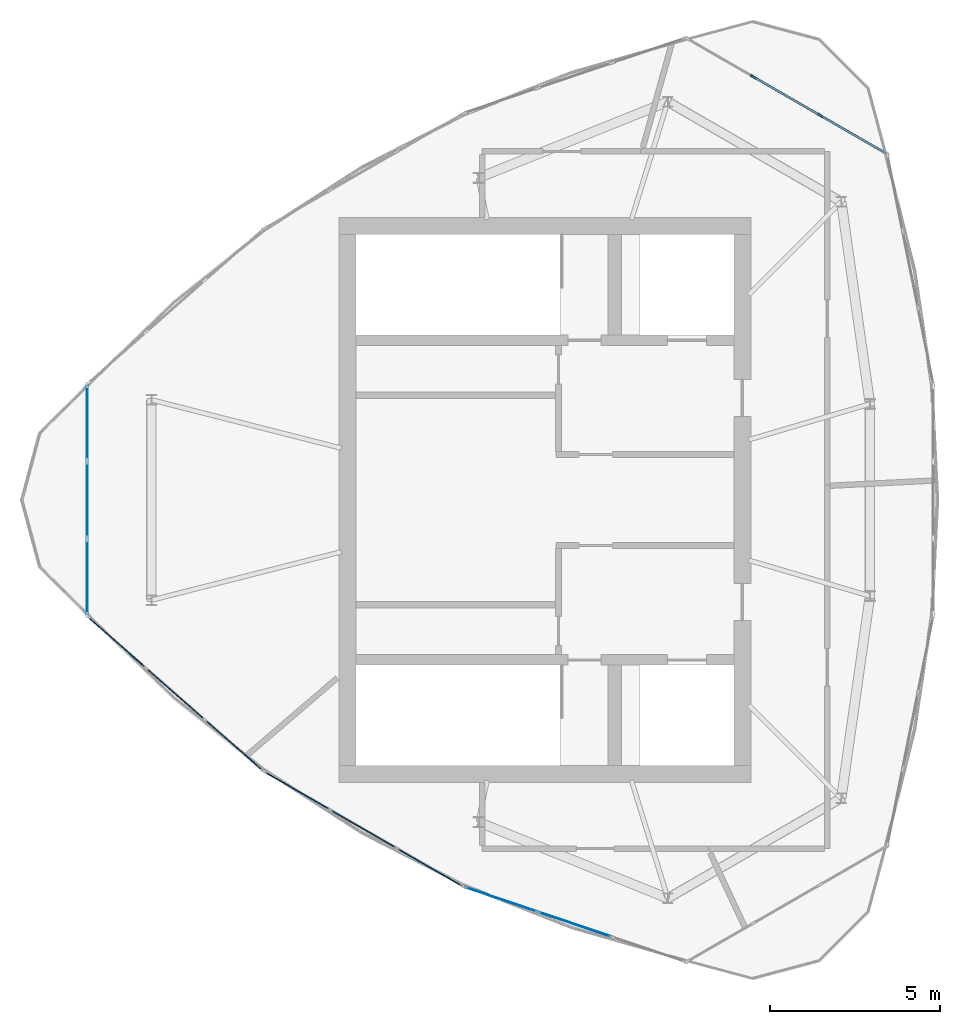
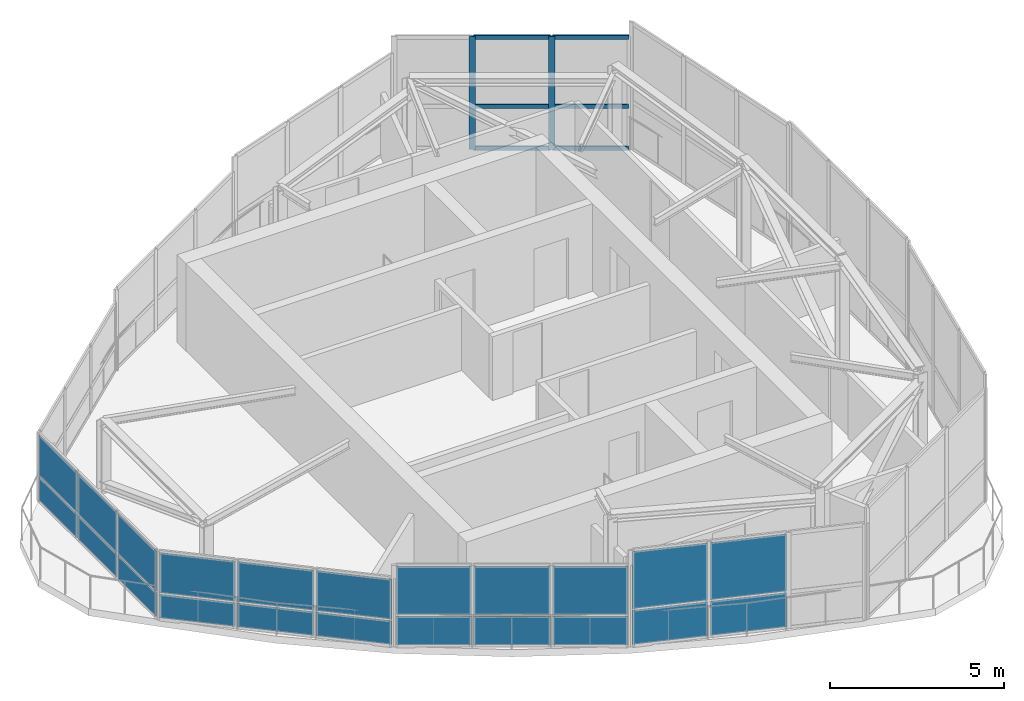
# One storey, part 5 of 9: 22 plates, 8 members, 5 elements without a shape of their own.
"""IFC4 building model written with IfcOpenShell, lengths in metres."""

import ifcopenshell
import ifcopenshell.guid

model = None  # the IFC model being written
_history = None  # IfcOwnerHistory: only IFC2X3 demands one
_inside = {}  # id of a spatial element -> (the spatial element, [elements in it])
_under = {}  # id of a project, library or spatial element -> (it, [spatial elements below it])
_declared = {}  # id of a project -> (the project, [libraries it declares])
_typed = {}  # id of a type object -> (the type object, [elements of that type])
_made_of = {}  # id of a material, layer set ... -> (it, [elements and type objects made of it])


def new_model(schema):
    """Start an empty IFC model of exactly this schema.

    Asked for "IFC4X3", IfcOpenShell would pick the latest addendum, in which some entities
    have other attributes; the version numbers below select the first issue.
    IFC2X3 requires an IfcOwnerHistory on every rooted entity: one is made here for all.
    """
    global model, _history
    if schema == "IFC4X3":
        model = ifcopenshell.file(schema_version=(4, 3, 0, 0))
    else:
        model = ifcopenshell.file(schema=schema)
    _inside.clear()
    _under.clear()
    _declared.clear()
    _typed.clear()
    _made_of.clear()
    _history = None
    if model.schema == "IFC2X3":
        org = make("IfcOrganization", Name="unknown")
        user = make(
            "IfcPersonAndOrganization",
            ThePerson=make("IfcPerson", FamilyName="unknown"),
            TheOrganization=org,
        )
        app = make(
            "IfcApplication",
            ApplicationDeveloper=org,
            Version="unknown",
            ApplicationFullName="unknown",
            ApplicationIdentifier="unknown",
        )
        _history = make(
            "IfcOwnerHistory",
            OwningUser=user,
            OwningApplication=app,
            ChangeAction="ADDED",
            CreationDate=0,
        )
    return model


def make(cls, **values):
    """One entity of the class cls with the attributes given. An attribute that is None is left unset."""
    return model.create_entity(
        cls, **{name: value for name, value in values.items() if value is not None}
    )


def rooted(cls, **values):
    """An entity with a GlobalId (a new one), such as an element, a storey or a relation."""
    return make(cls, GlobalId=ifcopenshell.guid.new(), OwnerHistory=_history, **values)


def si_unit(unit_type, name, prefix=None):
    """IfcSIUnit, for example si_unit("LENGTHUNIT", "METRE", prefix="MILLI")."""
    return make("IfcSIUnit", UnitType=unit_type, Prefix=prefix, Name=name)


def assignment(units):
    """IfcUnitAssignment: the units of a project."""
    return None if units is None else make("IfcUnitAssignment", Units=units)


def point(xyz):
    """IfcCartesianPoint."""
    return None if xyz is None else make("IfcCartesianPoint", Coordinates=xyz)


def direction(xyz):
    """IfcDirection."""
    return None if xyz is None else make("IfcDirection", DirectionRatios=xyz)


def frame(location, z_axis=None, x_axis=None):
    """IfcAxis2Placement3D, a coordinate frame: its origin and axes. An axis left out is left unset."""
    return make(
        "IfcAxis2Placement3D",
        Location=point(location),
        Axis=direction(z_axis),
        RefDirection=direction(x_axis),
    )


def frame_2d(location, x_axis=None):
    """IfcAxis2Placement2D, a coordinate frame in the plane: its origin and x axis."""
    return make(
        "IfcAxis2Placement2D", Location=point(location), RefDirection=direction(x_axis)
    )


def origin():
    """The frame at (0, 0, 0) with its axes left unset."""
    return frame((0.0, 0.0, 0.0))


def origin_2d():
    """The frame at (0, 0) in the plane with its x axis left unset."""
    return frame_2d((0.0, 0.0))


def place(relative_to, where):
    """IfcLocalPlacement: puts the frame where relative to a parent placement (None: the world)."""
    return make(
        "IfcLocalPlacement", PlacementRelTo=relative_to, RelativePlacement=where
    )


def context(
    kind, dimensions, precision=None, world=None, true_north=None, identifier=None
):
    """IfcGeometricRepresentationContext, for example the 3D "Model" context."""
    return make(
        "IfcGeometricRepresentationContext",
        ContextIdentifier=identifier,
        ContextType=kind,
        CoordinateSpaceDimension=dimensions,
        Precision=precision,
        WorldCoordinateSystem=world,
        TrueNorth=true_north,
    )


def subcontext(parent, identifier, kind, view, scale=None):
    """IfcGeometricRepresentationSubContext, for example "Body" below "Model"."""
    return make(
        "IfcGeometricRepresentationSubContext",
        ContextIdentifier=identifier,
        ContextType=kind,
        ParentContext=parent,
        TargetScale=scale,
        TargetView=view,
    )


def project(units=None, contexts=None):
    """IfcProject with its units and contexts."""
    return rooted(
        "IfcProject",
        Name="project",
        RepresentationContexts=contexts,
        UnitsInContext=assignment(units),
    )


def spatial(cls, under=None, at=None, **own):
    """A site, building, storey or space (cls), placed at a placement, below another one or the project."""
    s = rooted(cls, ObjectPlacement=at, **own)
    if under is not None:
        _under.setdefault(under.id(), (under, []))[1].append(s)
    return s


def profile(cls, at=None, kind="AREA", **sizes):
    """A parametric profile (cls). Its sizes go by their IFC names, for example OverallWidth=200.0."""
    return make(cls, ProfileType=kind, Position=at, **sizes)


def rectangle(**sizes):
    """IfcRectangleProfileDef."""
    return profile("IfcRectangleProfileDef", **sizes)


def extrude(swept, where, along, depth):
    """IfcExtrudedAreaSolid: the profile swept, set in the frame where, extruded along a direction by depth."""
    return make(
        "IfcExtrudedAreaSolid",
        SweptArea=swept,
        Position=where,
        ExtrudedDirection=direction(along),
        Depth=depth,
    )


def shape(context_of_items, identifier, shape_type, items):
    """IfcShapeRepresentation: the items that make up one representation, for example the "Body"."""
    return make(
        "IfcShapeRepresentation",
        ContextOfItems=context_of_items,
        RepresentationIdentifier=identifier,
        RepresentationType=shape_type,
        Items=items,
    )


def source(mapping_origin, context_of_items, identifier, shape_type, items):
    """IfcRepresentationMap: a shape defined once, which mapped items show again and again."""
    return make(
        "IfcRepresentationMap",
        MappingOrigin=mapping_origin,
        MappedRepresentation=shape(context_of_items, identifier, shape_type, items),
    )


def transform(
    local_origin,
    x_axis=None,
    y_axis=None,
    z_axis=None,
    scale=None,
    scale2=None,
    scale3=None,
    uniform=True,
):
    """IfcCartesianTransformationOperator3D, or its non-uniform kind. x_axis, y_axis, z_axis: its Axis1, 2, 3."""
    if uniform:
        return make(
            "IfcCartesianTransformationOperator3D",
            Axis1=direction(x_axis),
            Axis2=direction(y_axis),
            LocalOrigin=point(local_origin),
            Scale=scale,
            Axis3=direction(z_axis),
        )
    return make(
        "IfcCartesianTransformationOperator3DnonUniform",
        Axis1=direction(x_axis),
        Axis2=direction(y_axis),
        LocalOrigin=point(local_origin),
        Scale=scale,
        Axis3=direction(z_axis),
        Scale2=scale2,
        Scale3=scale3,
    )


def mapped(mapping_source, mapping_target):
    """IfcMappedItem: shows the shape of a source again, moved by a transform."""
    return make(
        "IfcMappedItem", MappingSource=mapping_source, MappingTarget=mapping_target
    )


def material(Name=None, Category=None):
    """IfcMaterial."""
    return make("IfcMaterial", Name=Name, Category=Category)


def layer(
    of_material, thickness, ventilated=None, Name=None, Category=None, Priority=None
):
    """IfcMaterialLayer: one layer of a wall or slab, of a material (None: an air gap)."""
    return make(
        "IfcMaterialLayer",
        Material=of_material,
        LayerThickness=thickness,
        IsVentilated=ventilated,
        Name=Name,
        Category=Category,
        Priority=Priority,
    )


def layer_set(layers, Name=None):
    """IfcMaterialLayerSet."""
    return make("IfcMaterialLayerSet", MaterialLayers=layers, LayerSetName=Name)


def material_profile(
    of_material, cross_section, Name=None, Category=None, Priority=None
):
    """IfcMaterialProfile: a cross section and its material."""
    return make(
        "IfcMaterialProfile",
        Name=Name,
        Material=of_material,
        Profile=cross_section,
        Priority=Priority,
        Category=Category,
    )


def profile_set(profiles, Name=None, composite=None):
    """IfcMaterialProfileSet."""
    return make(
        "IfcMaterialProfileSet",
        Name=Name,
        MaterialProfiles=profiles,
        CompositeProfile=composite,
    )


def made_of(thing, what):
    """Note that an element or type object is made of a material, layer set ...; save() writes the relation."""
    if what is not None:
        _made_of.setdefault(what.id(), (what, []))[1].append(thing)
    return thing


def type_object(cls, material=None, **own):
    """A type object (cls), such as IfcWallType, which elements share."""
    return made_of(rooted(cls, **own), material)


def element(
    cls,
    number,
    at=None,
    inside=None,
    cuts=None,
    type_object=None,
    material=None,
    context=None,
    identifier="Body",
    shape_type=None,
    held_by="IfcProductDefinitionShape",
    body=None,
    shapes=None,
    **own,
):
    """One element of the class cls, such as IfcWall. Its Tag is "e" and its number.

    at: its placement. inside: the storey or other place that contains it. cuts: it is an
    opening in that element (IfcRelVoidsElement). A single representation is given by context,
    identifier, shape_type and body (its items); several are given by shapes. held_by: the class
    of the entity that holds the representations. save() writes the other relations.
    """
    e = rooted(cls, Tag="e%d" % number, ObjectPlacement=at, **own)
    if body is not None:
        shapes = [shape(context, identifier, shape_type, body)]
    if shapes is not None:
        e.Representation = make(held_by, Representations=shapes)
    if inside is not None:
        _inside.setdefault(inside.id(), (inside, []))[1].append(e)
    if cuts is not None:
        rooted(
            "IfcRelVoidsElement", RelatingBuildingElement=cuts, RelatedOpeningElement=e
        )
    if type_object is not None:
        _typed.setdefault(type_object.id(), (type_object, []))[1].append(e)
    return made_of(e, material)


def aggregate(whole, parts):
    """IfcRelAggregates: a whole, such as a stair, and the parts it consists of."""
    return rooted("IfcRelAggregates", RelatingObject=whole, RelatedObjects=parts)


def save(model, path):
    """Write the relations noted so far, then the file.

    IfcRelAggregates (storeys below a building ...), IfcRelContainedInSpatialStructure (elements
    in a storey), IfcRelDefinesByType, IfcRelAssociatesMaterial and IfcRelDeclares: one each for
    every whole, place, type object, material and project.
    """
    for whole, parts in _under.values():
        aggregate(whole, parts)
    for where, things in _inside.values():
        rooted(
            "IfcRelContainedInSpatialStructure",
            RelatedElements=things,
            RelatingStructure=where,
        )
    for kind, things in _typed.values():
        rooted("IfcRelDefinesByType", RelatedObjects=things, RelatingType=kind)
    for what, things in _made_of.values():
        rooted("IfcRelAssociatesMaterial", RelatedObjects=things, RelatingMaterial=what)
    for by, libraries in _declared.values():
        rooted("IfcRelDeclares", RelatingContext=by, RelatedDefinitions=libraries)
    model.write(path)


model = new_model("IFC4")

# Units and contexts
model_context = context("Model", 3, precision=1e-05, world=origin(), true_north=direction((0.0, 1.0)))
body_context = subcontext(model_context, "Body", "Model", "MODEL_VIEW")
ifc_project = project(units=[si_unit("LENGTHUNIT", "METRE"), si_unit("AREAUNIT", "SQUARE_METRE"), si_unit("VOLUMEUNIT", "CUBIC_METRE"), si_unit("PLANEANGLEUNIT", "RADIAN"), si_unit("MASSUNIT", "GRAM", prefix="KILO")], contexts=[model_context])

# Site, building, storey
site_placement = place(None, origin())
site = spatial("IfcSite", under=ifc_project, at=site_placement, CompositionType="ELEMENT")
building_placement = place(site_placement, origin())
building = spatial("IfcBuilding", under=site, at=building_placement, Name="Qafzar Sky-Pleat Residences", CompositionType="ELEMENT")
storey_placement = place(building_placement, frame((0.0, 0.0, 274.699951171875)))
storey = spatial("IfcBuildingStorey", under=building, at=storey_placement, Name="L81 Crown", CompositionType="ELEMENT", Elevation=274.699951171875)

# Curtain wall, members
ifc_material_1 = material(Name="Anodised bronze aluminium framing", Category="aluminium")
ifc_layer_1 = layer(ifc_material_1, 0.179931640625)
ifc_layer_set_1 = layer_set([ifc_layer_1], Name="Anodised bronze aluminium framing")
curtain_wall_type = type_object("IfcCurtainWallType", Name="CW-SYS-06", PredefinedType="NOTDEFINED", material=ifc_layer_set_1)
curtain_wall_1_placement = place(storey_placement, origin())
curtain_wall_1 = element("IfcCurtainWall", 1, at=curtain_wall_1_placement, inside=storey, type_object=curtain_wall_type, Name="L81 Crown CW-06 Curtain Wall CW-CROWN-06-09", PredefinedType="NOTDEFINED")
ifc_material_2 = material(Name="Anodised bronze aluminium", Category="aluminium")
ifc_material_profile_1 = material_profile(ifc_material_2, rectangle(XDim=0.06005859375, YDim=0.135009765625, at=origin_2d()), Name="ALU TRANSOM 60x135")
ifc_profile_set_1 = profile_set([ifc_material_profile_1], Name="Anodised bronze aluminium")
member_type_1 = type_object("IfcMemberType", Name="CWT-06", PredefinedType="USERDEFINED", material=ifc_profile_set_1)
shared_shape_1 = source(origin(), body_context, "Body", "SweptSolid", [
    extrude(rectangle(XDim=0.06005859375, YDim=0.135009765625, at=origin_2d()), origin(), (0.0, 0.0, 1.0), 2.21728515625),
])
member_1_placement = place(storey_placement, frame((38.417236328125, 37.32275390625, 0.030029296875), z_axis=(-0.866018722283, 0.500011572522, 0.0), x_axis=(-0.500011572522, -0.866018722283, 0.0)))
member_1 = element("IfcMember", 2, at=member_1_placement, type_object=member_type_1, Name="CW-06 transom 2.1", ObjectType="TRANSOM", PredefinedType="USERDEFINED", context=body_context, shape_type="MappedRepresentation", body=[
    mapped(shared_shape_1, transform((0.0, 0.0, 0.0), x_axis=(1.0, 0.0, 0.0), y_axis=(0.0, 1.0, 0.0), z_axis=(0.0, 0.0, 1.0), scale=1.0)),
])
member_2_placement = place(storey_placement, frame((38.417236328125, 37.32275390625, 1.498779296875), z_axis=(-0.866018722283, 0.500011572522, 0.0), x_axis=(-0.500011572522, -0.866018722283, 0.0)))
member_2 = element("IfcMember", 3, at=member_2_placement, type_object=member_type_1, Name="CW-06 transom 2.2", ObjectType="TRANSOM", PredefinedType="USERDEFINED", context=body_context, shape_type="MappedRepresentation", body=[
    mapped(shared_shape_1, transform((0.0, 0.0, 0.0), x_axis=(1.0, 0.0, 0.0), y_axis=(0.0, 1.0, 0.0), z_axis=(0.0, 0.0, 1.0), scale=1.0)),
])
member_3_placement = place(storey_placement, frame((38.417236328125, 37.32275390625, 3.9140625), z_axis=(-0.866018722283, 0.500011572522, 0.0), x_axis=(-0.500011572522, -0.866018722283, 0.0)))
member_3 = element("IfcMember", 4, at=member_3_placement, type_object=member_type_1, Name="CW-06 transom 2.3", ObjectType="TRANSOM", PredefinedType="USERDEFINED", context=body_context, shape_type="MappedRepresentation", body=[
    mapped(shared_shape_1, transform((0.0, 0.0, 0.0), x_axis=(1.0, 0.0, 0.0), y_axis=(0.0, 1.0, 0.0), z_axis=(0.0, 0.0, 1.0), scale=1.0)),
])
ifc_material_profile_2 = material_profile(ifc_material_2, rectangle(XDim=0.06005859375, YDim=0.179931640625, at=origin_2d()), Name="ALU MULLION 60x180")
ifc_profile_set_2 = profile_set([ifc_material_profile_2], Name="Anodised bronze aluminium")
member_type_2 = type_object("IfcMemberType", Name="CWM-06", PredefinedType="MULLION", material=ifc_profile_set_2)
shared_shape_2 = source(origin(), body_context, "Body", "SweptSolid", [
    extrude(rectangle(XDim=0.06005859375, YDim=0.179931640625, at=origin_2d()), origin(), (0.0, 0.0, 1.0), 3.944091796875),
])
member_4_placement = place(storey_placement, frame((38.443115234375, 37.307861328125, 0.0), z_axis=(0.0, 0.0, 1.0), x_axis=(-0.499999539703, -0.866025669537, 0.0)))
member_4 = element("IfcMember", 5, at=member_4_placement, type_object=member_type_2, Name="CW-06 mullion 2", PredefinedType="MULLION", context=body_context, shape_type="MappedRepresentation", body=[
    mapped(shared_shape_2, transform((0.0, 0.0, 0.0), x_axis=(1.0, 0.0, 0.0), y_axis=(0.0, 1.0, 0.0), z_axis=(0.0, 0.0, 1.0), scale=1.0)),
])
member_5_placement = place(storey_placement, frame((36.47119140625, 38.4462890625, 0.0), z_axis=(0.0, 0.0, 1.0), x_axis=(-0.499999539703, -0.866025669537, 0.0)))
member_5 = element("IfcMember", 6, at=member_5_placement, type_object=member_type_2, Name="CW-06 mullion 3", PredefinedType="MULLION", context=body_context, shape_type="MappedRepresentation", body=[
    mapped(shared_shape_2, transform((0.0, 0.0, 0.0), x_axis=(1.0, 0.0, 0.0), y_axis=(0.0, 1.0, 0.0), z_axis=(0.0, 0.0, 1.0), scale=1.0)),
])
shared_shape_3 = source(origin(), body_context, "Body", "SweptSolid", [
    extrude(rectangle(XDim=0.06005859375, YDim=0.135009765625, at=origin_2d()), origin(), (0.0, 0.0, 1.0), 2.18701171875),
])
member_6_placement = place(storey_placement, frame((40.36328125, 36.19921875, 0.030029296875), z_axis=(-0.866029434536, 0.499993018469, 0.0), x_axis=(-0.499993018469, -0.866029434536, 0.0)))
member_6 = element("IfcMember", 7, at=member_6_placement, type_object=member_type_1, Name="CW-06 transom 1.1", ObjectType="TRANSOM", PredefinedType="USERDEFINED", context=body_context, shape_type="MappedRepresentation", body=[
    mapped(shared_shape_3, transform((0.0, 0.0, 0.0), x_axis=(1.0, 0.0, 0.0), y_axis=(0.0, 1.0, 0.0), z_axis=(0.0, 0.0, 1.0), scale=1.0)),
])
member_7_placement = place(storey_placement, frame((40.36328125, 36.19921875, 1.498779296875), z_axis=(-0.866029434536, 0.499993018469, 0.0), x_axis=(-0.499993018469, -0.866029434536, 0.0)))
member_7 = element("IfcMember", 8, at=member_7_placement, type_object=member_type_1, Name="CW-06 transom 1.2", ObjectType="TRANSOM", PredefinedType="USERDEFINED", context=body_context, shape_type="MappedRepresentation", body=[
    mapped(shared_shape_3, transform((0.0, 0.0, 0.0), x_axis=(1.0, 0.0, 0.0), y_axis=(0.0, 1.0, 0.0), z_axis=(0.0, 0.0, 1.0), scale=1.0)),
])
member_8_placement = place(storey_placement, frame((40.36328125, 36.19921875, 3.9140625), z_axis=(-0.866029434536, 0.499993018469, 0.0), x_axis=(-0.499993018469, -0.866029434536, 0.0)))
member_8 = element("IfcMember", 9, at=member_8_placement, type_object=member_type_1, Name="CW-06 transom 1.3", ObjectType="TRANSOM", PredefinedType="USERDEFINED", context=body_context, shape_type="MappedRepresentation", body=[
    mapped(shared_shape_3, transform((0.0, 0.0, 0.0), x_axis=(1.0, 0.0, 0.0), y_axis=(0.0, 1.0, 0.0), z_axis=(0.0, 0.0, 1.0), scale=1.0)),
])
aggregate(curtain_wall_1, [member_4, member_5, member_6, member_7, member_8, member_1, member_2, member_3])

# Curtain wall, plates
curtain_wall_2_placement = place(storey_placement, origin())
curtain_wall_2 = element("IfcCurtainWall", 10, at=curtain_wall_2_placement, inside=storey, type_object=curtain_wall_type, Name="L81 Crown CW-06 Curtain Wall CW-CROWN-06-01", PredefinedType="NOTDEFINED")
ifc_material_3 = material(Name="Solar-control double low-E glazing", Category="glass")
ifc_layer_2 = layer(ifc_material_3, 0.02587890625)
ifc_layer_set_2 = layer_set([ifc_layer_2], Name="Solar-control double low-E glazing")
plate_type = type_object("IfcPlateType", Name="CWP-06", PredefinedType="CURTAIN_PANEL", material=ifc_layer_set_2)
shared_shape_4 = source(origin(), body_context, "Body", "SweptSolid", [
    extrude(rectangle(XDim=2.18701171875, YDim=0.02587890625, at=origin_2d()), origin(), (0.0, 0.0, 1.0), 0.822998046875),
])
plate_1_placement = place(storey_placement, frame((16.885498046875, 28.261962890625, 0.06005859375), z_axis=(0.0, 0.0, 1.0), x_axis=(0.0, -1.0, 0.0)))
plate_1 = element("IfcPlate", 11, at=plate_1_placement, type_object=plate_type, Name="CW-06 panel 1.1", PredefinedType="CURTAIN_PANEL", context=body_context, shape_type="MappedRepresentation", body=[
    mapped(shared_shape_4, transform((0.0, 0.0, 0.0), x_axis=(1.0, 0.0, 0.0), y_axis=(0.0, 1.0, 0.0), z_axis=(0.0, 0.0, 1.0), scale=1.0)),
])
plate_2_placement = place(storey_placement, frame((16.885498046875, 23.738037109375, 0.06005859375), z_axis=(0.0, 0.0, 1.0), x_axis=(0.0, -1.0, 0.0)))
plate_2 = element("IfcPlate", 12, at=plate_2_placement, type_object=plate_type, Name="CW-06 panel 3.1", PredefinedType="CURTAIN_PANEL", context=body_context, shape_type="MappedRepresentation", body=[
    mapped(shared_shape_4, transform((0.0, 0.0, 0.0), x_axis=(1.0, 0.0, 0.0), y_axis=(0.0, 1.0, 0.0), z_axis=(0.0, 0.0, 1.0), scale=1.0)),
])
shared_shape_5 = source(origin(), body_context, "Body", "SweptSolid", [
    extrude(rectangle(XDim=2.18701171875, YDim=0.02587890625, at=origin_2d()), origin(), (0.0, 0.0, 1.0), 1.39990234375),
])
plate_3_placement = place(storey_placement, frame((16.885498046875, 28.261962890625, 0.943115234375), z_axis=(0.0, 0.0, 1.0), x_axis=(0.0, -1.0, 0.0)))
plate_3 = element("IfcPlate", 13, at=plate_3_placement, type_object=plate_type, Name="CW-06 panel 1.2", PredefinedType="CURTAIN_PANEL", context=body_context, shape_type="MappedRepresentation", body=[
    mapped(shared_shape_5, transform((0.0, 0.0, 0.0), x_axis=(1.0, 0.0, 0.0), y_axis=(0.0, 1.0, 0.0), z_axis=(0.0, 0.0, 1.0), scale=1.0)),
])
plate_4_placement = place(storey_placement, frame((16.885498046875, 23.738037109375, 0.943115234375), z_axis=(0.0, 0.0, 1.0), x_axis=(0.0, -1.0, 0.0)))
plate_4 = element("IfcPlate", 14, at=plate_4_placement, type_object=plate_type, Name="CW-06 panel 3.2", PredefinedType="CURTAIN_PANEL", context=body_context, shape_type="MappedRepresentation", body=[
    mapped(shared_shape_5, transform((0.0, 0.0, 0.0), x_axis=(1.0, 0.0, 0.0), y_axis=(0.0, 1.0, 0.0), z_axis=(0.0, 0.0, 1.0), scale=1.0)),
])
shared_shape_6 = source(origin(), body_context, "Body", "SweptSolid", [
    extrude(rectangle(XDim=2.217041015625, YDim=0.02587890625, at=origin_2d()), origin(), (0.0, 0.0, 1.0), 0.822998046875),
])
plate_5_placement = place(storey_placement, frame((16.885498046875, 26.0, 0.06005859375), z_axis=(0.0, 0.0, 1.0), x_axis=(0.0, -1.0, 0.0)))
plate_5 = element("IfcPlate", 15, at=plate_5_placement, type_object=plate_type, Name="CW-06 panel 2.1", PredefinedType="CURTAIN_PANEL", context=body_context, shape_type="MappedRepresentation", body=[
    mapped(shared_shape_6, transform((0.0, 0.0, 0.0), x_axis=(1.0, 0.0, 0.0), y_axis=(0.0, 1.0, 0.0), z_axis=(0.0, 0.0, 1.0), scale=1.0)),
])
shared_shape_7 = source(origin(), body_context, "Body", "SweptSolid", [
    extrude(rectangle(XDim=2.217041015625, YDim=0.02587890625, at=origin_2d()), origin(), (0.0, 0.0, 1.0), 1.39990234375),
])
plate_6_placement = place(storey_placement, frame((16.885498046875, 26.0, 0.943115234375), z_axis=(0.0, 0.0, 1.0), x_axis=(0.0, -1.0, 0.0)))
plate_6 = element("IfcPlate", 16, at=plate_6_placement, type_object=plate_type, Name="CW-06 panel 2.2", PredefinedType="CURTAIN_PANEL", context=body_context, shape_type="MappedRepresentation", body=[
    mapped(shared_shape_7, transform((0.0, 0.0, 0.0), x_axis=(1.0, 0.0, 0.0), y_axis=(0.0, 1.0, 0.0), z_axis=(0.0, 0.0, 1.0), scale=1.0)),
])
aggregate(curtain_wall_2, [plate_1, plate_3, plate_5, plate_6, plate_2, plate_4])

curtain_wall_3_placement = place(storey_placement, origin())
curtain_wall_3 = element("IfcCurtainWall", 17, at=curtain_wall_3_placement, inside=storey, type_object=curtain_wall_type, Name="L81 Crown CW-06 Curtain Wall CW-CROWN-06-02", PredefinedType="NOTDEFINED")
shared_shape_8 = source(origin(), body_context, "Body", "SweptSolid", [
    extrude(rectangle(XDim=2.214599609375, YDim=0.02587890625, at=origin_2d()), origin(), (0.0, 0.0, 1.0), 0.822998046875),
])
plate_7_placement = place(storey_placement, frame((17.762451171875, 21.813720703125, 0.06005859375), z_axis=(0.0, 0.0, 1.0), x_axis=(0.7511449033, -0.660137360136, 0.0)))
plate_7 = element("IfcPlate", 18, at=plate_7_placement, type_object=plate_type, Name="CW-06 panel 1.1", PredefinedType="CURTAIN_PANEL", context=body_context, shape_type="MappedRepresentation", body=[
    mapped(shared_shape_8, transform((0.0, 0.0, 0.0), x_axis=(1.0, 0.0, 0.0), y_axis=(0.0, 1.0, 0.0), z_axis=(0.0, 0.0, 1.0), scale=1.0)),
])
plate_8_placement = place(storey_placement, frame((21.201904296875, 18.791015625, 0.06005859375), z_axis=(0.0, 0.0, 1.0), x_axis=(0.7511449033, -0.660137360136, 0.0)))
plate_8 = element("IfcPlate", 19, at=plate_8_placement, type_object=plate_type, Name="CW-06 panel 3.1", PredefinedType="CURTAIN_PANEL", context=body_context, shape_type="MappedRepresentation", body=[
    mapped(shared_shape_8, transform((0.0, 0.0, 0.0), x_axis=(1.0, 0.0, 0.0), y_axis=(0.0, 1.0, 0.0), z_axis=(0.0, 0.0, 1.0), scale=1.0)),
])
shared_shape_9 = source(origin(), body_context, "Body", "SweptSolid", [
    extrude(rectangle(XDim=2.214599609375, YDim=0.02587890625, at=origin_2d()), origin(), (0.0, 0.0, 1.0), 1.39990234375),
])
plate_9_placement = place(storey_placement, frame((17.762451171875, 21.813720703125, 0.943115234375), z_axis=(0.0, 0.0, 1.0), x_axis=(0.7511449033, -0.660137360136, 0.0)))
plate_9 = element("IfcPlate", 20, at=plate_9_placement, type_object=plate_type, Name="CW-06 panel 1.2", PredefinedType="CURTAIN_PANEL", context=body_context, shape_type="MappedRepresentation", body=[
    mapped(shared_shape_9, transform((0.0, 0.0, 0.0), x_axis=(1.0, 0.0, 0.0), y_axis=(0.0, 1.0, 0.0), z_axis=(0.0, 0.0, 1.0), scale=1.0)),
])
plate_10_placement = place(storey_placement, frame((21.201904296875, 18.791015625, 0.943115234375), z_axis=(0.0, 0.0, 1.0), x_axis=(0.7511449033, -0.660137360136, 0.0)))
plate_10 = element("IfcPlate", 21, at=plate_10_placement, type_object=plate_type, Name="CW-06 panel 3.2", PredefinedType="CURTAIN_PANEL", context=body_context, shape_type="MappedRepresentation", body=[
    mapped(shared_shape_9, transform((0.0, 0.0, 0.0), x_axis=(1.0, 0.0, 0.0), y_axis=(0.0, 1.0, 0.0), z_axis=(0.0, 0.0, 1.0), scale=1.0)),
])
shared_shape_10 = source(origin(), body_context, "Body", "SweptSolid", [
    extrude(rectangle(XDim=2.24462890625, YDim=0.02587890625, at=origin_2d()), origin(), (0.0, 0.0, 1.0), 0.822998046875),
])
plate_11_placement = place(storey_placement, frame((19.482177734375, 20.302490234375, 0.06005859375), z_axis=(0.0, 0.0, 1.0), x_axis=(0.7511449033, -0.660137360136, 0.0)))
plate_11 = element("IfcPlate", 22, at=plate_11_placement, type_object=plate_type, Name="CW-06 panel 2.1", PredefinedType="CURTAIN_PANEL", context=body_context, shape_type="MappedRepresentation", body=[
    mapped(shared_shape_10, transform((0.0, 0.0, 0.0), x_axis=(1.0, 0.0, 0.0), y_axis=(0.0, 1.0, 0.0), z_axis=(0.0, 0.0, 1.0), scale=1.0)),
])
shared_shape_11 = source(origin(), body_context, "Body", "SweptSolid", [
    extrude(rectangle(XDim=2.24462890625, YDim=0.02587890625, at=origin_2d()), origin(), (0.0, 0.0, 1.0), 1.39990234375),
])
plate_12_placement = place(storey_placement, frame((19.482177734375, 20.302490234375, 0.943115234375), z_axis=(0.0, 0.0, 1.0), x_axis=(0.7511449033, -0.660137360136, 0.0)))
plate_12 = element("IfcPlate", 23, at=plate_12_placement, type_object=plate_type, Name="CW-06 panel 2.2", PredefinedType="CURTAIN_PANEL", context=body_context, shape_type="MappedRepresentation", body=[
    mapped(shared_shape_11, transform((0.0, 0.0, 0.0), x_axis=(1.0, 0.0, 0.0), y_axis=(0.0, 1.0, 0.0), z_axis=(0.0, 0.0, 1.0), scale=1.0)),
])
aggregate(curtain_wall_3, [plate_7, plate_9, plate_11, plate_12, plate_8, plate_10])

curtain_wall_4_placement = place(storey_placement, origin())
curtain_wall_4 = element("IfcCurtainWall", 24, at=curtain_wall_4_placement, inside=storey, type_object=curtain_wall_type, Name="L81 Crown CW-06 Curtain Wall CW-CROWN-06-03", PredefinedType="NOTDEFINED")
shared_shape_12 = source(origin(), body_context, "Body", "SweptSolid", [
    extrude(rectangle(XDim=2.169921875, YDim=0.02587890625, at=origin_2d()), origin(), (0.0, 0.0, 1.0), 0.995849609375),
])
plate_13_placement = place(storey_placement, frame((23.0703125, 17.447998046875, 0.06005859375), z_axis=(0.0, 0.0, 1.0), x_axis=(0.866027888398, -0.499995696498, 0.0)))
plate_13 = element("IfcPlate", 25, at=plate_13_placement, type_object=plate_type, Name="CW-06 panel 1.1", PredefinedType="CURTAIN_PANEL", context=body_context, shape_type="MappedRepresentation", body=[
    mapped(shared_shape_12, transform((0.0, 0.0, 0.0), x_axis=(1.0, 0.0, 0.0), y_axis=(0.0, 1.0, 0.0), z_axis=(0.0, 0.0, 1.0), scale=1.0)),
])
plate_14_placement = place(storey_placement, frame((26.95849609375, 15.203125, 0.06005859375), z_axis=(0.0, 0.0, 1.0), x_axis=(0.866027888398, -0.499995696498, 0.0)))
plate_14 = element("IfcPlate", 26, at=plate_14_placement, type_object=plate_type, Name="CW-06 panel 3.1", PredefinedType="CURTAIN_PANEL", context=body_context, shape_type="MappedRepresentation", body=[
    mapped(shared_shape_12, transform((0.0, 0.0, 0.0), x_axis=(1.0, 0.0, 0.0), y_axis=(0.0, 1.0, 0.0), z_axis=(0.0, 0.0, 1.0), scale=1.0)),
])
shared_shape_13 = source(origin(), body_context, "Body", "SweptSolid", [
    extrude(rectangle(XDim=2.169921875, YDim=0.02587890625, at=origin_2d()), origin(), (0.0, 0.0, 1.0), 1.681396484375),
])
plate_15_placement = place(storey_placement, frame((23.0703125, 17.447998046875, 1.11572265625), z_axis=(0.0, 0.0, 1.0), x_axis=(0.866027888398, -0.499995696498, 0.0)))
plate_15 = element("IfcPlate", 27, at=plate_15_placement, type_object=plate_type, Name="CW-06 panel 1.2", PredefinedType="CURTAIN_PANEL", context=body_context, shape_type="MappedRepresentation", body=[
    mapped(shared_shape_13, transform((0.0, 0.0, 0.0), x_axis=(1.0, 0.0, 0.0), y_axis=(0.0, 1.0, 0.0), z_axis=(0.0, 0.0, 1.0), scale=1.0)),
])
plate_16_placement = place(storey_placement, frame((26.95849609375, 15.203125, 1.11572265625), z_axis=(0.0, 0.0, 1.0), x_axis=(0.866027888398, -0.499995696498, 0.0)))
plate_16 = element("IfcPlate", 28, at=plate_16_placement, type_object=plate_type, Name="CW-06 panel 3.2", PredefinedType="CURTAIN_PANEL", context=body_context, shape_type="MappedRepresentation", body=[
    mapped(shared_shape_13, transform((0.0, 0.0, 0.0), x_axis=(1.0, 0.0, 0.0), y_axis=(0.0, 1.0, 0.0), z_axis=(0.0, 0.0, 1.0), scale=1.0)),
])
shared_shape_14 = source(origin(), body_context, "Body", "SweptSolid", [
    extrude(rectangle(XDim=2.19970703125, YDim=0.02587890625, at=origin_2d()), origin(), (0.0, 0.0, 1.0), 0.995849609375),
])
plate_17_placement = place(storey_placement, frame((25.014404296875, 16.325439453125, 0.06005859375), z_axis=(0.0, 0.0, 1.0), x_axis=(0.866027888398, -0.499995696498, 0.0)))
plate_17 = element("IfcPlate", 29, at=plate_17_placement, type_object=plate_type, Name="CW-06 panel 2.1", PredefinedType="CURTAIN_PANEL", context=body_context, shape_type="MappedRepresentation", body=[
    mapped(shared_shape_14, transform((0.0, 0.0, 0.0), x_axis=(1.0, 0.0, 0.0), y_axis=(0.0, 1.0, 0.0), z_axis=(0.0, 0.0, 1.0), scale=1.0)),
])
shared_shape_15 = source(origin(), body_context, "Body", "SweptSolid", [
    extrude(rectangle(XDim=2.19970703125, YDim=0.02587890625, at=origin_2d()), origin(), (0.0, 0.0, 1.0), 1.681396484375),
])
plate_18_placement = place(storey_placement, frame((25.014404296875, 16.325439453125, 1.11572265625), z_axis=(0.0, 0.0, 1.0), x_axis=(0.866027888398, -0.499995696498, 0.0)))
plate_18 = element("IfcPlate", 30, at=plate_18_placement, type_object=plate_type, Name="CW-06 panel 2.2", PredefinedType="CURTAIN_PANEL", context=body_context, shape_type="MappedRepresentation", body=[
    mapped(shared_shape_15, transform((0.0, 0.0, 0.0), x_axis=(1.0, 0.0, 0.0), y_axis=(0.0, 1.0, 0.0), z_axis=(0.0, 0.0, 1.0), scale=1.0)),
])
aggregate(curtain_wall_4, [plate_13, plate_15, plate_17, plate_18, plate_14, plate_16])

curtain_wall_5_placement = place(storey_placement, origin())
curtain_wall_5 = element("IfcCurtainWall", 31, at=curtain_wall_5_placement, inside=storey, type_object=curtain_wall_type, Name="L81 Crown CW-06 Curtain Wall CW-CROWN-06-04", PredefinedType="NOTDEFINED")
shared_shape_16 = source(origin(), body_context, "Body", "SweptSolid", [
    extrude(rectangle(XDim=2.214599609375, YDim=0.02587890625, at=origin_2d()), origin(), (0.0, 0.0, 1.0), 1.19091796875),
])
plate_19_placement = place(storey_placement, frame((29.0556640625, 14.256591796875, 0.06005859375), z_axis=(0.0, 0.0, 1.0), x_axis=(0.947262179954, -0.320459611229, 0.0)))
plate_19 = element("IfcPlate", 32, at=plate_19_placement, type_object=plate_type, Name="CW-06 panel 1.1", PredefinedType="CURTAIN_PANEL", context=body_context, shape_type="MappedRepresentation", body=[
    mapped(shared_shape_16, transform((0.0, 0.0, 0.0), x_axis=(1.0, 0.0, 0.0), y_axis=(0.0, 1.0, 0.0), z_axis=(0.0, 0.0, 1.0), scale=1.0)),
])
shared_shape_17 = source(origin(), body_context, "Body", "SweptSolid", [
    extrude(rectangle(XDim=2.214599609375, YDim=0.02587890625, at=origin_2d()), origin(), (0.0, 0.0, 1.0), 2.0),
])
plate_20_placement = place(storey_placement, frame((29.0556640625, 14.256591796875, 1.31103515625), z_axis=(0.0, 0.0, 1.0), x_axis=(0.947262179954, -0.320459611229, 0.0)))
plate_20 = element("IfcPlate", 33, at=plate_20_placement, type_object=plate_type, Name="CW-06 panel 1.2", PredefinedType="CURTAIN_PANEL", context=body_context, shape_type="MappedRepresentation", body=[
    mapped(shared_shape_17, transform((0.0, 0.0, 0.0), x_axis=(1.0, 0.0, 0.0), y_axis=(0.0, 1.0, 0.0), z_axis=(0.0, 0.0, 1.0), scale=1.0)),
])
shared_shape_18 = source(origin(), body_context, "Body", "SweptSolid", [
    extrude(rectangle(XDim=2.24462890625, YDim=0.02587890625, at=origin_2d()), origin(), (0.0, 0.0, 1.0), 1.19091796875),
])
plate_21_placement = place(storey_placement, frame((31.224609375, 13.52294921875, 0.06005859375), z_axis=(0.0, 0.0, 1.0), x_axis=(0.947262179954, -0.320459611229, 0.0)))
plate_21 = element("IfcPlate", 34, at=plate_21_placement, type_object=plate_type, Name="CW-06 panel 2.1", PredefinedType="CURTAIN_PANEL", context=body_context, shape_type="MappedRepresentation", body=[
    mapped(shared_shape_18, transform((0.0, 0.0, 0.0), x_axis=(1.0, 0.0, 0.0), y_axis=(0.0, 1.0, 0.0), z_axis=(0.0, 0.0, 1.0), scale=1.0)),
])
shared_shape_19 = source(origin(), body_context, "Body", "SweptSolid", [
    extrude(rectangle(XDim=2.24462890625, YDim=0.02587890625, at=origin_2d()), origin(), (0.0, 0.0, 1.0), 2.0),
])
plate_22_placement = place(storey_placement, frame((31.224609375, 13.52294921875, 1.31103515625), z_axis=(0.0, 0.0, 1.0), x_axis=(0.947262179954, -0.320459611229, 0.0)))
plate_22 = element("IfcPlate", 35, at=plate_22_placement, type_object=plate_type, Name="CW-06 panel 2.2", PredefinedType="CURTAIN_PANEL", context=body_context, shape_type="MappedRepresentation", body=[
    mapped(shared_shape_19, transform((0.0, 0.0, 0.0), x_axis=(1.0, 0.0, 0.0), y_axis=(0.0, 1.0, 0.0), z_axis=(0.0, 0.0, 1.0), scale=1.0)),
])
aggregate(curtain_wall_5, [plate_19, plate_20, plate_21, plate_22])

save(model, "model.ifc")
